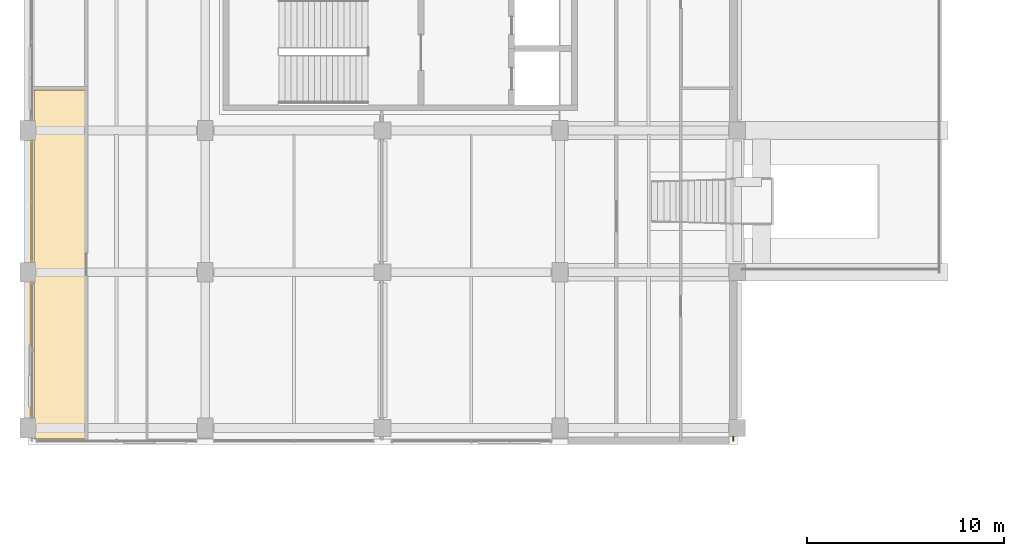
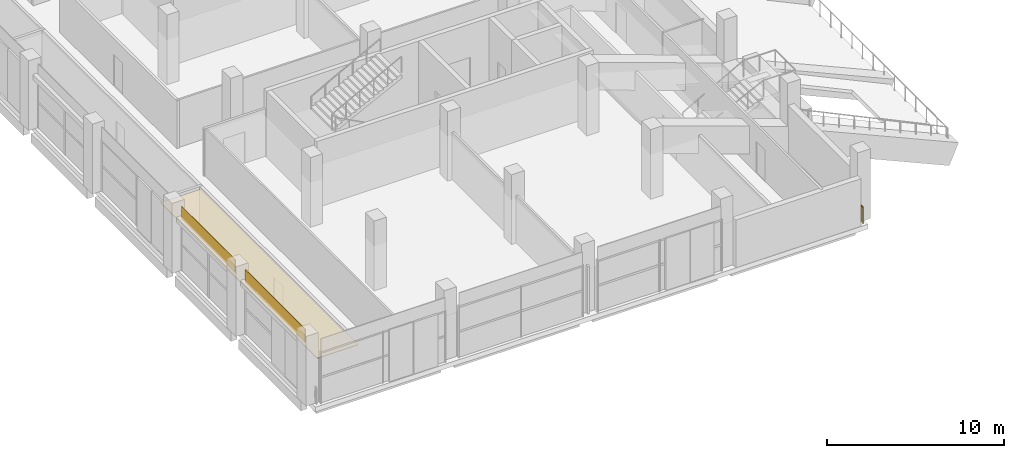
# One storey, part 57 of 66: 3 coverings, 1 railing.
"""IFC4 building model written with IfcOpenShell, lengths in metres."""

from ifc_helpers import new_model, si_unit, direction, frame, origin, origin_2d, place, context, subcontext, project, spatial, polyline, rectangle, circle, outline, extrude, material, layer, layer_set, type_object, element, save


model = new_model("IFC4")

# Units and contexts
model_context = context("Model", 3, precision=1e-05, world=origin(), true_north=direction((0.0, 1.0)))
body_context = subcontext(model_context, "Body", "Model", "MODEL_VIEW")
ifc_project = project(units=[si_unit("LENGTHUNIT", "METRE"), si_unit("AREAUNIT", "SQUARE_METRE"), si_unit("VOLUMEUNIT", "CUBIC_METRE"), si_unit("PLANEANGLEUNIT", "RADIAN"), si_unit("MASSUNIT", "GRAM", prefix="KILO"), si_unit("THERMODYNAMICTEMPERATUREUNIT", "KELVIN"), si_unit("POWERUNIT", "WATT")], contexts=[model_context])

# Site, building, storey
site_placement = place(None, origin())
site = spatial("IfcSite", under=ifc_project, at=site_placement, CompositionType="ELEMENT")
building_placement = place(site_placement, origin())
building = spatial("IfcBuilding", under=site, at=building_placement, Name="Sindhuravela Promenade Stadium", CompositionType="ELEMENT")
storey_placement = place(building_placement, frame((0.0, 0.0, 19.199951171875)))
storey = spatial("IfcBuildingStorey", under=building, at=storey_placement, Name="L04", CompositionType="ELEMENT", Elevation=19.199951171875)

# Coverings
ifc_material_1 = material(Name="Acoustic mineral-fibre ceiling tile", Category="gypsum")
ifc_layer_1 = layer(ifc_material_1, 0.044921875)
ifc_layer_set_1 = layer_set([ifc_layer_1], Name="Acoustic mineral-fibre ceiling tile")
covering_type_1 = type_object("IfcCoveringType", Name="CV-CEIL-2", PredefinedType="CEILING", material=ifc_layer_set_1)
covering_1_placement = place(storey_placement, frame((0.0, 0.0, 3.050048828125)))
element("IfcCovering", 1, at=covering_1_placement, inside=storey, type_object=covering_type_1, Name="Acoustic ceiling Upper Concourse Food Kiosk W4 4", PredefinedType="CEILING", context=body_context, shape_type="SweptSolid", body=[
    extrude(outline(polyline([(2.97998046875, 36.570068359375), (2.97998046875, 36.568115234375), (2.9794921875, 36.566162109375), (2.97900390625, 36.564208984375), (2.978515625, 36.562255859375), (2.9775390625, 36.560546875), (2.9765625, 36.558837890625), (2.9755859375, 36.557373046875), (2.97412109375, 36.555908203125), (2.97265625, 36.554443359375), (2.97119140625, 36.553466796875), (2.969482421875, 36.552490234375), (2.9677734375, 36.551513671875), (2.9658203125, 36.55078125), (2.9638671875, 36.55029296875), (2.9619140625, 36.550048828125), (2.9599609375, 36.550048828125), (0.320068359375, 36.550048828125), (0.318115234375, 36.550048828125), (0.316162109375, 36.55029296875), (0.314208984375, 36.55078125), (0.312255859375, 36.551513671875), (0.310546875, 36.552490234375), (0.308837890625, 36.553466796875), (0.307373046875, 36.554443359375), (0.305908203125, 36.555908203125), (0.304443359375, 36.557373046875), (0.303466796875, 36.558837890625), (0.302490234375, 36.560546875), (0.301513671875, 36.562255859375), (0.30078125, 36.564208984375), (0.30029296875, 36.566162109375), (0.300048828125, 36.568115234375), (0.300048828125, 36.570068359375), (0.300048828125, 54.221923828125), (0.300048828125, 54.22412109375), (0.30029296875, 54.225830078125), (0.30078125, 54.227783203125), (0.301513671875, 54.229736328125), (0.302490234375, 54.2314453125), (0.303466796875, 54.233154296875), (0.304443359375, 54.234619140625), (0.305908203125, 54.236083984375), (0.307373046875, 54.237548828125), (0.308837890625, 54.238525390625), (0.310546875, 54.239501953125), (0.312255859375, 54.240478515625), (0.314208984375, 54.2412109375), (0.316162109375, 54.24169921875), (0.318115234375, 54.241943359375), (0.320068359375, 54.241943359375), (2.9599609375, 54.241943359375), (2.9619140625, 54.241943359375), (2.9638671875, 54.24169921875), (2.9658203125, 54.2412109375), (2.9677734375, 54.240478515625), (2.969482421875, 54.239501953125), (2.97119140625, 54.238525390625), (2.97265625, 54.237548828125), (2.97412109375, 54.236083984375), (2.9755859375, 54.234619140625), (2.9765625, 54.233154296875), (2.9775390625, 54.2314453125), (2.978515625, 54.229736328125), (2.97900390625, 54.227783203125), (2.9794921875, 54.225830078125), (2.97998046875, 54.22412109375), (2.97998046875, 54.221923828125), (2.97998046875, 36.570068359375)])), origin(), (0.0, 0.0, 1.0), 0.044921875),
])
ifc_material_2 = material(Name="Polychrome trencadis ceramic mosaic", Category="masonry")
ifc_layer_2 = layer(ifc_material_2, 0.034912109375)
ifc_layer_set_2 = layer_set([ifc_layer_2], Name="Polychrome trencadis ceramic mosaic")
covering_type_2 = type_object("IfcCoveringType", Name="CV-TRENC-1", PredefinedType="CLADDING", material=ifc_layer_set_2)
covering_2_placement = place(storey_placement, frame((0.179931640625, 48.60009765625, 3.55517578125), z_axis=(0.0, 0.0, 1.0), x_axis=(0.0, 1.0, 0.0)))
element("IfcCovering", 2, at=covering_2_placement, inside=storey, type_object=covering_type_2, Name="Trencadis ceramic mosaic spandrel frieze WEST L04-102", PredefinedType="CLADDING", context=body_context, shape_type="SweptSolid", body=[
    extrude(rectangle(XDim=6.070068359375, YDim=0.034912109375, at=origin_2d()), origin(), (0.0, 0.0, 1.0), 0.905029296875),
])
ifc_layer_3 = layer(ifc_material_2, 0.050048828125)
ifc_layer_set_3 = layer_set([ifc_layer_3], Name="Polychrome trencadis ceramic mosaic")
covering_type_3 = type_object("IfcCoveringType", Name="CV-TRENC-2", PredefinedType="CLADDING", material=ifc_layer_set_3)
covering_3_placement = place(storey_placement, frame((0.179931640625, 41.050048828125, 3.55517578125), z_axis=(0.0, 0.0, 1.0), x_axis=(0.0, 1.0, 0.0)))
element("IfcCovering", 3, at=covering_3_placement, inside=storey, type_object=covering_type_3, Name="Trencadis ceramic mosaic spandrel frieze WEST L04-101", PredefinedType="CLADDING", context=body_context, shape_type="SweptSolid", body=[
    extrude(rectangle(XDim=6.77001953125, YDim=0.050048828125, at=origin_2d()), origin(), (0.0, 0.0, 1.0), 0.905029296875),
])

# Railing
ifc_material_3 = material(Name="Architectural wrought steel E350", Category="steel")
railing_type = type_object("IfcRailingType", Name="RL-GRD-1150", PredefinedType="GUARDRAIL", material=ifc_material_3)
railing_placement = place(storey_placement, frame((35.800048828125, 36.669921875, 0.0)))
element("IfcRailing", 4, at=railing_placement, inside=storey, type_object=railing_type, Name="Perimeter edge return guard WEST L04", PredefinedType="GUARDRAIL", context=body_context, shape_type="SweptSolid", body=[
    extrude(circle(Radius=0.02392578125, at=origin_2d()), frame((0.0, 0.0, 1.1259765625), z_axis=(0.0, -1.0, 0.0), x_axis=(1.0, 0.0, 0.0)), (0.0, 0.0, 1.0), 0.219970703125),
    extrude(circle(Radius=0.02099609375, at=origin_2d()), origin(), (0.0, 0.0, 1.0), 1.101806640625),
    extrude(circle(Radius=0.02099609375, at=origin_2d()), frame((0.0, -0.219970703125, 0.0)), (0.0, 0.0, 1.0), 1.101806640625),
])

save(model, "model.ifc")
